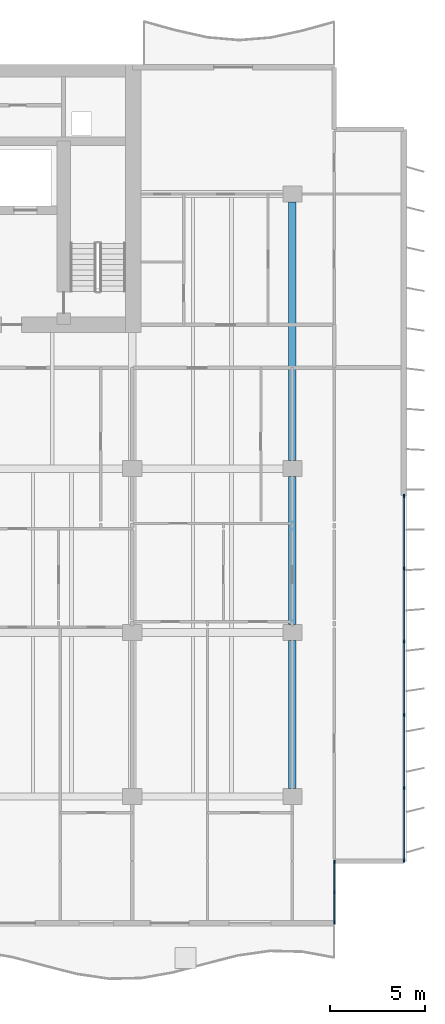
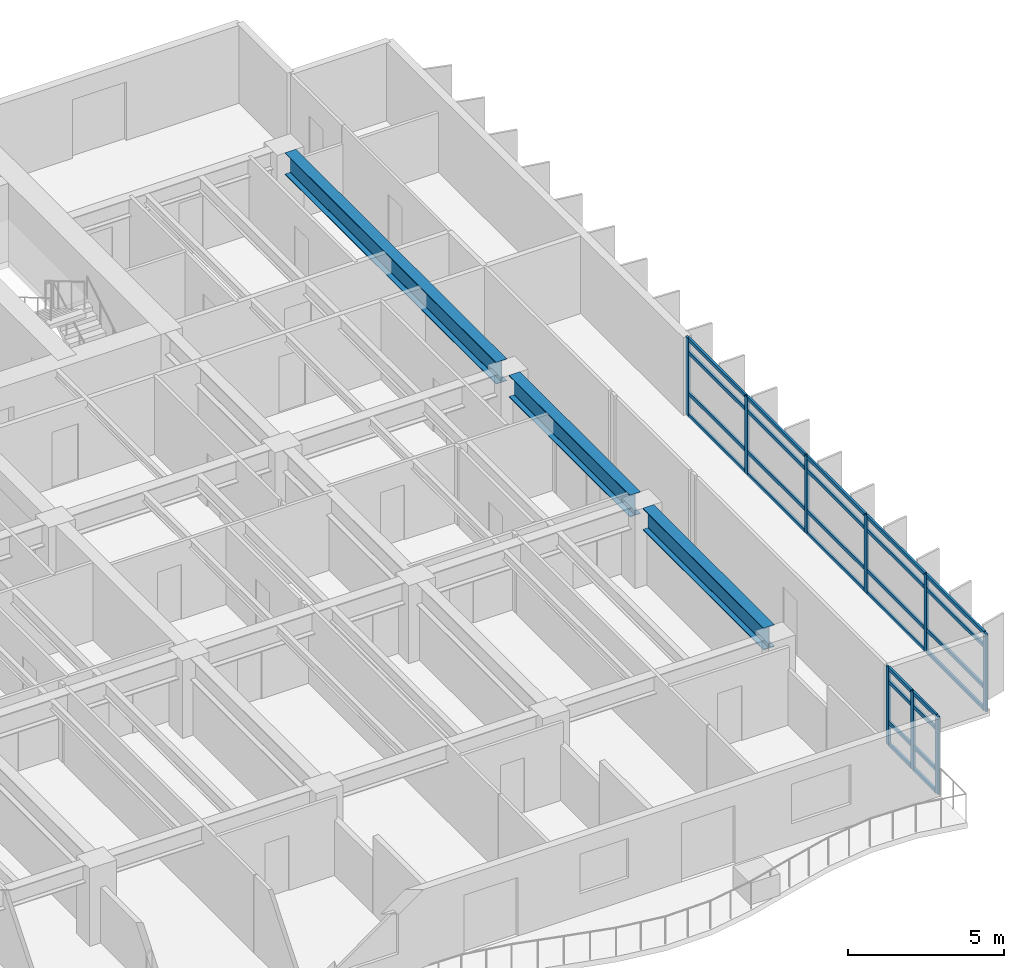
# One storey, part 4 of 18: 37 members, 3 beams, 2 elements without a shape of their own.
"""IFC4 building model written with IfcOpenShell, lengths in metres."""

from ifc_helpers import new_model, si_unit, direction, frame, origin, origin_2d, place, context, subcontext, project, spatial, rectangle, i_section, extrude, material, layer, layer_set, material_profile, profile_set, type_object, element, aggregate, save


model = new_model("IFC4")

# Units and contexts
model_context = context("Model", 3, precision=1e-05, world=origin(), true_north=direction((0.0, 1.0)))
body_context = subcontext(model_context, "Body", "Model", "MODEL_VIEW")
ifc_project = project(units=[si_unit("LENGTHUNIT", "METRE"), si_unit("AREAUNIT", "SQUARE_METRE"), si_unit("VOLUMEUNIT", "CUBIC_METRE"), si_unit("PLANEANGLEUNIT", "RADIAN"), si_unit("MASSUNIT", "GRAM", prefix="KILO")], contexts=[model_context])

# Site, building, storey
site_placement = place(None, origin())
site = spatial("IfcSite", under=ifc_project, at=site_placement, CompositionType="ELEMENT")
building_placement = place(site_placement, origin())
building = spatial("IfcBuilding", under=site, at=building_placement, Name="Caelmar Bay Residences", CompositionType="ELEMENT")
storey_placement = place(building_placement, frame((0.0, 0.0, 129.0)))
storey = spatial("IfcBuildingStorey", under=building, at=storey_placement, Name="L35", CompositionType="ELEMENT", Elevation=129.0)

# Beams
ifc_material_1 = material(Name="Steel ASTM A992 Grade 50", Category="steel")
ifc_material_profile_1 = material_profile(ifc_material_1, i_section(OverallWidth=0.40087890625, OverallDepth=0.861083984375, WebThickness=0.019775390625, FlangeThickness=0.032470703125, FilletRadius=0.017822265625, at=origin_2d()), Name="W33X221")
ifc_profile_set_1 = profile_set([ifc_material_profile_1], Name="Steel ASTM A992 Grade 50")
beam_type = type_object("IfcBeamType", Name="BM-GRD-W33X221", PredefinedType="BEAM", material=ifc_profile_set_1)
for number, where, z_axis, x_axis, name in (
    (1, (67.89990234375, 12.614990234375, 2.619384765625), (0.0, 1.0, 0.0), (-1.0, 0.0, 0.0), "L35 North-South Girder X=67.90 (12.2-20.8)"),
    (2, (67.89990234375, 21.215087890625, 2.619384765625), (0.0, 1.0, 0.0), (-1.0, 0.0, 0.0), "L35 North-South Girder X=67.90 (20.8-29.4)"),
):
    element("IfcBeam", number, at=place(storey_placement, frame(where, z_axis=z_axis, x_axis=x_axis)), inside=storey, type_object=beam_type, Name=name, PredefinedType="BEAM", context=body_context, shape_type="SweptSolid", body=[
        extrude(i_section(OverallWidth=0.40087890625, OverallDepth=0.861083984375, WebThickness=0.019775390625, FlangeThickness=0.032470703125, FilletRadius=0.017822265625, at=origin_2d()), origin(), (0.0, 0.0, 1.0), 7.77001953125),
    ])
beam_placement = place(storey_placement, frame((67.89990234375, 29.81494140625, 2.619384765625), z_axis=(0.0, 1.0, 0.0), x_axis=(-1.0, 0.0, 0.0)))
element("IfcBeam", 3, at=beam_placement, inside=storey, type_object=beam_type, Name="L35 North-South Girder X=67.90 (29.4-43.8)", PredefinedType="BEAM", context=body_context, shape_type="SweptSolid", body=[
    extrude(i_section(OverallWidth=0.40087890625, OverallDepth=0.861083984375, WebThickness=0.019775390625, FlangeThickness=0.032470703125, FilletRadius=0.017822265625, at=origin_2d()), origin(), (0.0, 0.0, 1.0), 13.570068359375),
])

# Curtain wall, members
ifc_material_2 = material(Name="Anodised bronze aluminium 6063-T6 and laminated glass", Category="aluminium")
ifc_layer_1 = layer(ifc_material_2, 0.179931640625)
ifc_layer_set_1 = layer_set([ifc_layer_1], Name="Anodised bronze aluminium 6063-T6 and laminated glass")
curtain_wall_type_1 = type_object("IfcCurtainWallType", Name="CW6-NTC", PredefinedType="NOTDEFINED", material=ifc_layer_set_1)
curtain_wall_1_placement = place(storey_placement, origin())
curtain_wall_1 = element("IfcCurtainWall", 4, at=curtain_wall_1_placement, inside=storey, type_object=curtain_wall_type_1, Name="CW6 curtain wall L35", PredefinedType="NOTDEFINED")
ifc_material_3 = material(Name="Anodised bronze aluminium 6063-T6", Category="aluminium")
ifc_material_profile_2 = material_profile(ifc_material_3, rectangle(XDim=0.080078125, YDim=0.179931640625, at=origin_2d()), Name="CWM-80X180")
ifc_profile_set_2 = profile_set([ifc_material_profile_2], Name="Anodised bronze aluminium 6063-T6")
member_type_1 = type_object("IfcMemberType", Name="CWM-180", PredefinedType="MULLION", material=ifc_profile_set_2)
member_1_placement = place(storey_placement, frame((70.10009765625, 5.590087890625, 0.0), z_axis=(0.0, 0.0, 1.0), x_axis=(-1.0, 0.0, 0.0)))
member_1 = element("IfcMember", 5, at=member_1_placement, type_object=member_type_1, Name="CW6 mullion 1", PredefinedType="MULLION", context=body_context, shape_type="SweptSolid", body=[
    extrude(rectangle(XDim=0.080078125, YDim=0.179931640625, at=origin_2d()), origin(), (0.0, 0.0, 1.0), 3.050048828125),
])
member_2_placement = place(storey_placement, frame((70.10009765625, 7.175048828125, 0.0), z_axis=(0.0, 0.0, 1.0), x_axis=(-1.0, 0.0, 0.0)))
member_2 = element("IfcMember", 6, at=member_2_placement, type_object=member_type_1, Name="CW6 mullion 2", PredefinedType="MULLION", context=body_context, shape_type="SweptSolid", body=[
    extrude(rectangle(XDim=0.080078125, YDim=0.179931640625, at=origin_2d()), origin(), (0.0, 0.0, 1.0), 3.050048828125),
])
member_3_placement = place(storey_placement, frame((70.10009765625, 8.760009765625, 0.0), z_axis=(0.0, 0.0, 1.0), x_axis=(-1.0, 0.0, 0.0)))
member_3 = element("IfcMember", 7, at=member_3_placement, type_object=member_type_1, Name="CW6 mullion 3", PredefinedType="MULLION", context=body_context, shape_type="SweptSolid", body=[
    extrude(rectangle(XDim=0.080078125, YDim=0.179931640625, at=origin_2d()), origin(), (0.0, 0.0, 1.0), 3.050048828125),
])

ifc_layer_2 = layer(ifc_material_2, 0.179931640625)
ifc_layer_set_2 = layer_set([ifc_layer_2], Name="Anodised bronze aluminium 6063-T6 and laminated glass")
curtain_wall_type_2 = type_object("IfcCurtainWallType", Name="CW3-Z2", PredefinedType="NOTDEFINED", material=ifc_layer_set_2)
curtain_wall_2_placement = place(storey_placement, origin())
curtain_wall_2 = element("IfcCurtainWall", 8, at=curtain_wall_2_placement, inside=storey, type_object=curtain_wall_type_2, Name="CW3 curtain wall L35", PredefinedType="NOTDEFINED")
member_4_placement = place(storey_placement, frame((73.75, 27.9599609375, 0.0), z_axis=(0.0, 0.0, 1.0), x_axis=(1.0, 0.0, 0.0)))
member_4 = element("IfcMember", 9, at=member_4_placement, type_object=member_type_1, Name="CW3 mullion 1", PredefinedType="MULLION", context=body_context, shape_type="SweptSolid", body=[
    extrude(rectangle(XDim=0.080078125, YDim=0.179931640625, at=origin_2d()), origin(), (0.0, 0.0, 1.0), 3.050048828125),
])
member_5_placement = place(storey_placement, frame((73.75, 24.159912109375, 0.0), z_axis=(0.0, 0.0, 1.0), x_axis=(1.0, 0.0, 0.0)))
member_5 = element("IfcMember", 10, at=member_5_placement, type_object=member_type_1, Name="CW3 mullion 2", PredefinedType="MULLION", context=body_context, shape_type="SweptSolid", body=[
    extrude(rectangle(XDim=0.080078125, YDim=0.179931640625, at=origin_2d()), origin(), (0.0, 0.0, 1.0), 3.050048828125),
])
member_6_placement = place(storey_placement, frame((73.75, 20.320068359375, 0.0), z_axis=(0.0, 0.0, 1.0), x_axis=(1.0, 0.0, 0.0)))
member_6 = element("IfcMember", 11, at=member_6_placement, type_object=member_type_1, Name="CW3 mullion 3", PredefinedType="MULLION", context=body_context, shape_type="SweptSolid", body=[
    extrude(rectangle(XDim=0.080078125, YDim=0.179931640625, at=origin_2d()), origin(), (0.0, 0.0, 1.0), 3.050048828125),
])
member_7_placement = place(storey_placement, frame((73.75, 16.47998046875, 0.0), z_axis=(0.0, 0.0, 1.0), x_axis=(1.0, 0.0, 0.0)))
member_7 = element("IfcMember", 12, at=member_7_placement, type_object=member_type_1, Name="CW3 mullion 4", PredefinedType="MULLION", context=body_context, shape_type="SweptSolid", body=[
    extrude(rectangle(XDim=0.080078125, YDim=0.179931640625, at=origin_2d()), origin(), (0.0, 0.0, 1.0), 3.050048828125),
])
member_8_placement = place(storey_placement, frame((73.75, 12.639892578125, 0.0), z_axis=(0.0, 0.0, 1.0), x_axis=(1.0, 0.0, 0.0)))
member_8 = element("IfcMember", 13, at=member_8_placement, type_object=member_type_1, Name="CW3 mullion 5", PredefinedType="MULLION", context=body_context, shape_type="SweptSolid", body=[
    extrude(rectangle(XDim=0.080078125, YDim=0.179931640625, at=origin_2d()), origin(), (0.0, 0.0, 1.0), 3.050048828125),
])
member_9_placement = place(storey_placement, frame((73.75, 8.840087890625, 0.0), z_axis=(0.0, 0.0, 1.0), x_axis=(1.0, 0.0, 0.0)))
member_9 = element("IfcMember", 14, at=member_9_placement, type_object=member_type_1, Name="CW3 mullion 6", PredefinedType="MULLION", context=body_context, shape_type="SweptSolid", body=[
    extrude(rectangle(XDim=0.080078125, YDim=0.179931640625, at=origin_2d()), origin(), (0.0, 0.0, 1.0), 3.050048828125),
])

# Member
ifc_material_profile_3 = material_profile(ifc_material_3, rectangle(XDim=0.080078125, YDim=0.139892578125, at=origin_2d()), Name="CWT-80X140")
ifc_profile_set_3 = profile_set([ifc_material_profile_3], Name="Anodised bronze aluminium 6063-T6")
member_type_2 = type_object("IfcMemberType", Name="CWT-140", PredefinedType="NOTDEFINED", material=ifc_profile_set_3)
member_10_placement = place(storey_placement, frame((70.10009765625, 5.6298828125, 0.0400390625), z_axis=(0.0, 1.0, 0.0), x_axis=(-1.0, 0.0, 0.0)))
member_10 = element("IfcMember", 15, at=member_10_placement, type_object=member_type_2, Name="CW6 transom 1.1", ObjectType="TRANSOM", PredefinedType="USERDEFINED", context=body_context, shape_type="SweptSolid", body=[
    extrude(rectangle(XDim=0.080078125, YDim=0.139892578125, at=origin_2d()), origin(), (0.0, 0.0, 1.0), 1.505126953125),
])

member_11_placement = place(storey_placement, frame((70.10009765625, 5.6298828125, 0.89990234375), z_axis=(0.0, 1.0, 0.0), x_axis=(-1.0, 0.0, 0.0)))
member_11 = element("IfcMember", 16, at=member_11_placement, type_object=member_type_2, Name="CW6 transom 1.2", ObjectType="TRANSOM", PredefinedType="USERDEFINED", context=body_context, shape_type="SweptSolid", body=[
    extrude(rectangle(XDim=0.080078125, YDim=0.139892578125, at=origin_2d()), origin(), (0.0, 0.0, 1.0), 1.505126953125),
])

member_12_placement = place(storey_placement, frame((70.10009765625, 5.6298828125, 2.5), z_axis=(0.0, 1.0, 0.0), x_axis=(-1.0, 0.0, 0.0)))
member_12 = element("IfcMember", 17, at=member_12_placement, type_object=member_type_2, Name="CW6 transom 1.3", ObjectType="TRANSOM", PredefinedType="USERDEFINED", context=body_context, shape_type="SweptSolid", body=[
    extrude(rectangle(XDim=0.080078125, YDim=0.139892578125, at=origin_2d()), origin(), (0.0, 0.0, 1.0), 1.505126953125),
])

member_13_placement = place(storey_placement, frame((70.10009765625, 5.6298828125, 3.010009765625), z_axis=(0.0, 1.0, 0.0), x_axis=(-1.0, 0.0, 0.0)))
member_13 = element("IfcMember", 18, at=member_13_placement, type_object=member_type_2, Name="CW6 transom 1.4", ObjectType="TRANSOM", PredefinedType="USERDEFINED", context=body_context, shape_type="SweptSolid", body=[
    extrude(rectangle(XDim=0.080078125, YDim=0.139892578125, at=origin_2d()), origin(), (0.0, 0.0, 1.0), 1.505126953125),
])

member_14_placement = place(storey_placement, frame((70.10009765625, 7.215087890625, 0.0400390625), z_axis=(0.0, 1.0, 0.0), x_axis=(-1.0, 0.0, 0.0)))
member_14 = element("IfcMember", 19, at=member_14_placement, type_object=member_type_2, Name="CW6 transom 2.1", ObjectType="TRANSOM", PredefinedType="USERDEFINED", context=body_context, shape_type="SweptSolid", body=[
    extrude(rectangle(XDim=0.080078125, YDim=0.139892578125, at=origin_2d()), origin(), (0.0, 0.0, 1.0), 1.5048828125),
])

member_15_placement = place(storey_placement, frame((70.10009765625, 7.215087890625, 0.89990234375), z_axis=(0.0, 1.0, 0.0), x_axis=(-1.0, 0.0, 0.0)))
member_15 = element("IfcMember", 20, at=member_15_placement, type_object=member_type_2, Name="CW6 transom 2.2", ObjectType="TRANSOM", PredefinedType="USERDEFINED", context=body_context, shape_type="SweptSolid", body=[
    extrude(rectangle(XDim=0.080078125, YDim=0.139892578125, at=origin_2d()), origin(), (0.0, 0.0, 1.0), 1.5048828125),
])

member_16_placement = place(storey_placement, frame((70.10009765625, 7.215087890625, 2.5), z_axis=(0.0, 1.0, 0.0), x_axis=(-1.0, 0.0, 0.0)))
member_16 = element("IfcMember", 21, at=member_16_placement, type_object=member_type_2, Name="CW6 transom 2.3", ObjectType="TRANSOM", PredefinedType="USERDEFINED", context=body_context, shape_type="SweptSolid", body=[
    extrude(rectangle(XDim=0.080078125, YDim=0.139892578125, at=origin_2d()), origin(), (0.0, 0.0, 1.0), 1.5048828125),
])

member_17_placement = place(storey_placement, frame((70.10009765625, 7.215087890625, 3.010009765625), z_axis=(0.0, 1.0, 0.0), x_axis=(-1.0, 0.0, 0.0)))
member_17 = element("IfcMember", 22, at=member_17_placement, type_object=member_type_2, Name="CW6 transom 2.4", ObjectType="TRANSOM", PredefinedType="USERDEFINED", context=body_context, shape_type="SweptSolid", body=[
    extrude(rectangle(XDim=0.080078125, YDim=0.139892578125, at=origin_2d()), origin(), (0.0, 0.0, 1.0), 1.5048828125),
])

aggregate(curtain_wall_1, [member_1, member_2, member_3, member_10, member_11, member_12, member_13, member_14, member_15, member_16, member_17])

member_18_placement = place(storey_placement, frame((73.75, 27.919921875, 0.0400390625), z_axis=(0.0, -1.0, 0.0), x_axis=(1.0, 0.0, 0.0)))
member_18 = element("IfcMember", 23, at=member_18_placement, type_object=member_type_2, Name="CW3 transom 1.1", ObjectType="TRANSOM", PredefinedType="USERDEFINED", context=body_context, shape_type="SweptSolid", body=[
    extrude(rectangle(XDim=0.080078125, YDim=0.139892578125, at=origin_2d()), origin(), (0.0, 0.0, 1.0), 3.719970703125),
])

member_19_placement = place(storey_placement, frame((73.75, 27.919921875, 0.89990234375), z_axis=(0.0, -1.0, 0.0), x_axis=(1.0, 0.0, 0.0)))
member_19 = element("IfcMember", 24, at=member_19_placement, type_object=member_type_2, Name="CW3 transom 1.2", ObjectType="TRANSOM", PredefinedType="USERDEFINED", context=body_context, shape_type="SweptSolid", body=[
    extrude(rectangle(XDim=0.080078125, YDim=0.139892578125, at=origin_2d()), origin(), (0.0, 0.0, 1.0), 3.719970703125),
])

member_20_placement = place(storey_placement, frame((73.75, 27.919921875, 2.5), z_axis=(0.0, -1.0, 0.0), x_axis=(1.0, 0.0, 0.0)))
member_20 = element("IfcMember", 25, at=member_20_placement, type_object=member_type_2, Name="CW3 transom 1.3", ObjectType="TRANSOM", PredefinedType="USERDEFINED", context=body_context, shape_type="SweptSolid", body=[
    extrude(rectangle(XDim=0.080078125, YDim=0.139892578125, at=origin_2d()), origin(), (0.0, 0.0, 1.0), 3.719970703125),
])

member_21_placement = place(storey_placement, frame((73.75, 27.919921875, 3.010009765625), z_axis=(0.0, -1.0, 0.0), x_axis=(1.0, 0.0, 0.0)))
member_21 = element("IfcMember", 26, at=member_21_placement, type_object=member_type_2, Name="CW3 transom 1.4", ObjectType="TRANSOM", PredefinedType="USERDEFINED", context=body_context, shape_type="SweptSolid", body=[
    extrude(rectangle(XDim=0.080078125, YDim=0.139892578125, at=origin_2d()), origin(), (0.0, 0.0, 1.0), 3.719970703125),
])

member_22_placement = place(storey_placement, frame((73.75, 24.1201171875, 0.0400390625), z_axis=(0.0, -1.0, 0.0), x_axis=(1.0, 0.0, 0.0)))
member_22 = element("IfcMember", 27, at=member_22_placement, type_object=member_type_2, Name="CW3 transom 2.1", ObjectType="TRANSOM", PredefinedType="USERDEFINED", context=body_context, shape_type="SweptSolid", body=[
    extrude(rectangle(XDim=0.080078125, YDim=0.139892578125, at=origin_2d()), origin(), (0.0, 0.0, 1.0), 3.760009765625),
])

member_23_placement = place(storey_placement, frame((73.75, 24.1201171875, 0.89990234375), z_axis=(0.0, -1.0, 0.0), x_axis=(1.0, 0.0, 0.0)))
member_23 = element("IfcMember", 28, at=member_23_placement, type_object=member_type_2, Name="CW3 transom 2.2", ObjectType="TRANSOM", PredefinedType="USERDEFINED", context=body_context, shape_type="SweptSolid", body=[
    extrude(rectangle(XDim=0.080078125, YDim=0.139892578125, at=origin_2d()), origin(), (0.0, 0.0, 1.0), 3.760009765625),
])

member_24_placement = place(storey_placement, frame((73.75, 24.1201171875, 2.5), z_axis=(0.0, -1.0, 0.0), x_axis=(1.0, 0.0, 0.0)))
member_24 = element("IfcMember", 29, at=member_24_placement, type_object=member_type_2, Name="CW3 transom 2.3", ObjectType="TRANSOM", PredefinedType="USERDEFINED", context=body_context, shape_type="SweptSolid", body=[
    extrude(rectangle(XDim=0.080078125, YDim=0.139892578125, at=origin_2d()), origin(), (0.0, 0.0, 1.0), 3.760009765625),
])

member_25_placement = place(storey_placement, frame((73.75, 24.1201171875, 3.010009765625), z_axis=(0.0, -1.0, 0.0), x_axis=(1.0, 0.0, 0.0)))
member_25 = element("IfcMember", 30, at=member_25_placement, type_object=member_type_2, Name="CW3 transom 2.4", ObjectType="TRANSOM", PredefinedType="USERDEFINED", context=body_context, shape_type="SweptSolid", body=[
    extrude(rectangle(XDim=0.080078125, YDim=0.139892578125, at=origin_2d()), origin(), (0.0, 0.0, 1.0), 3.760009765625),
])

member_26_placement = place(storey_placement, frame((73.75, 20.280029296875, 0.0400390625), z_axis=(0.0, -1.0, 0.0), x_axis=(1.0, 0.0, 0.0)))
member_26 = element("IfcMember", 31, at=member_26_placement, type_object=member_type_2, Name="CW3 transom 3.1", ObjectType="TRANSOM", PredefinedType="USERDEFINED", context=body_context, shape_type="SweptSolid", body=[
    extrude(rectangle(XDim=0.080078125, YDim=0.139892578125, at=origin_2d()), origin(), (0.0, 0.0, 1.0), 3.760009765625),
])

member_27_placement = place(storey_placement, frame((73.75, 20.280029296875, 0.89990234375), z_axis=(0.0, -1.0, 0.0), x_axis=(1.0, 0.0, 0.0)))
member_27 = element("IfcMember", 32, at=member_27_placement, type_object=member_type_2, Name="CW3 transom 3.2", ObjectType="TRANSOM", PredefinedType="USERDEFINED", context=body_context, shape_type="SweptSolid", body=[
    extrude(rectangle(XDim=0.080078125, YDim=0.139892578125, at=origin_2d()), origin(), (0.0, 0.0, 1.0), 3.760009765625),
])

member_28_placement = place(storey_placement, frame((73.75, 20.280029296875, 2.5), z_axis=(0.0, -1.0, 0.0), x_axis=(1.0, 0.0, 0.0)))
member_28 = element("IfcMember", 33, at=member_28_placement, type_object=member_type_2, Name="CW3 transom 3.3", ObjectType="TRANSOM", PredefinedType="USERDEFINED", context=body_context, shape_type="SweptSolid", body=[
    extrude(rectangle(XDim=0.080078125, YDim=0.139892578125, at=origin_2d()), origin(), (0.0, 0.0, 1.0), 3.760009765625),
])

member_29_placement = place(storey_placement, frame((73.75, 20.280029296875, 3.010009765625), z_axis=(0.0, -1.0, 0.0), x_axis=(1.0, 0.0, 0.0)))
member_29 = element("IfcMember", 34, at=member_29_placement, type_object=member_type_2, Name="CW3 transom 3.4", ObjectType="TRANSOM", PredefinedType="USERDEFINED", context=body_context, shape_type="SweptSolid", body=[
    extrude(rectangle(XDim=0.080078125, YDim=0.139892578125, at=origin_2d()), origin(), (0.0, 0.0, 1.0), 3.760009765625),
])

member_30_placement = place(storey_placement, frame((73.75, 16.43994140625, 0.0400390625), z_axis=(0.0, -1.0, 0.0), x_axis=(1.0, 0.0, 0.0)))
member_30 = element("IfcMember", 35, at=member_30_placement, type_object=member_type_2, Name="CW3 transom 4.1", ObjectType="TRANSOM", PredefinedType="USERDEFINED", context=body_context, shape_type="SweptSolid", body=[
    extrude(rectangle(XDim=0.080078125, YDim=0.139892578125, at=origin_2d()), origin(), (0.0, 0.0, 1.0), 3.760009765625),
])

member_31_placement = place(storey_placement, frame((73.75, 16.43994140625, 0.89990234375), z_axis=(0.0, -1.0, 0.0), x_axis=(1.0, 0.0, 0.0)))
member_31 = element("IfcMember", 36, at=member_31_placement, type_object=member_type_2, Name="CW3 transom 4.2", ObjectType="TRANSOM", PredefinedType="USERDEFINED", context=body_context, shape_type="SweptSolid", body=[
    extrude(rectangle(XDim=0.080078125, YDim=0.139892578125, at=origin_2d()), origin(), (0.0, 0.0, 1.0), 3.760009765625),
])

member_32_placement = place(storey_placement, frame((73.75, 16.43994140625, 2.5), z_axis=(0.0, -1.0, 0.0), x_axis=(1.0, 0.0, 0.0)))
member_32 = element("IfcMember", 37, at=member_32_placement, type_object=member_type_2, Name="CW3 transom 4.3", ObjectType="TRANSOM", PredefinedType="USERDEFINED", context=body_context, shape_type="SweptSolid", body=[
    extrude(rectangle(XDim=0.080078125, YDim=0.139892578125, at=origin_2d()), origin(), (0.0, 0.0, 1.0), 3.760009765625),
])

member_33_placement = place(storey_placement, frame((73.75, 16.43994140625, 3.010009765625), z_axis=(0.0, -1.0, 0.0), x_axis=(1.0, 0.0, 0.0)))
member_33 = element("IfcMember", 38, at=member_33_placement, type_object=member_type_2, Name="CW3 transom 4.4", ObjectType="TRANSOM", PredefinedType="USERDEFINED", context=body_context, shape_type="SweptSolid", body=[
    extrude(rectangle(XDim=0.080078125, YDim=0.139892578125, at=origin_2d()), origin(), (0.0, 0.0, 1.0), 3.760009765625),
])

member_34_placement = place(storey_placement, frame((73.75, 12.60009765625, 0.0400390625), z_axis=(0.0, -1.0, 0.0), x_axis=(1.0, 0.0, 0.0)))
member_34 = element("IfcMember", 39, at=member_34_placement, type_object=member_type_2, Name="CW3 transom 5.1", ObjectType="TRANSOM", PredefinedType="USERDEFINED", context=body_context, shape_type="SweptSolid", body=[
    extrude(rectangle(XDim=0.080078125, YDim=0.139892578125, at=origin_2d()), origin(), (0.0, 0.0, 1.0), 3.72021484375),
])

member_35_placement = place(storey_placement, frame((73.75, 12.60009765625, 0.89990234375), z_axis=(0.0, -1.0, 0.0), x_axis=(1.0, 0.0, 0.0)))
member_35 = element("IfcMember", 40, at=member_35_placement, type_object=member_type_2, Name="CW3 transom 5.2", ObjectType="TRANSOM", PredefinedType="USERDEFINED", context=body_context, shape_type="SweptSolid", body=[
    extrude(rectangle(XDim=0.080078125, YDim=0.139892578125, at=origin_2d()), origin(), (0.0, 0.0, 1.0), 3.72021484375),
])

member_36_placement = place(storey_placement, frame((73.75, 12.60009765625, 2.5), z_axis=(0.0, -1.0, 0.0), x_axis=(1.0, 0.0, 0.0)))
member_36 = element("IfcMember", 41, at=member_36_placement, type_object=member_type_2, Name="CW3 transom 5.3", ObjectType="TRANSOM", PredefinedType="USERDEFINED", context=body_context, shape_type="SweptSolid", body=[
    extrude(rectangle(XDim=0.080078125, YDim=0.139892578125, at=origin_2d()), origin(), (0.0, 0.0, 1.0), 3.72021484375),
])

member_37_placement = place(storey_placement, frame((73.75, 12.60009765625, 3.010009765625), z_axis=(0.0, -1.0, 0.0), x_axis=(1.0, 0.0, 0.0)))
member_37 = element("IfcMember", 42, at=member_37_placement, type_object=member_type_2, Name="CW3 transom 5.4", ObjectType="TRANSOM", PredefinedType="USERDEFINED", context=body_context, shape_type="SweptSolid", body=[
    extrude(rectangle(XDim=0.080078125, YDim=0.139892578125, at=origin_2d()), origin(), (0.0, 0.0, 1.0), 3.72021484375),
])

aggregate(curtain_wall_2, [member_4, member_5, member_6, member_7, member_8, member_9, member_18, member_19, member_20, member_21, member_22, member_23, member_24, member_25, member_26, member_27, member_28, member_29, member_30, member_31, member_32, member_33, member_34, member_35, member_36, member_37])

save(model, "model.ifc")
